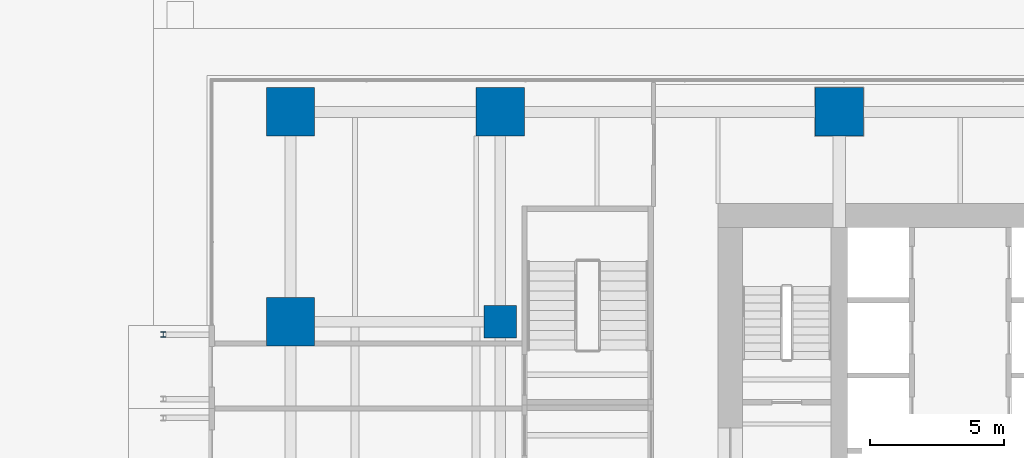
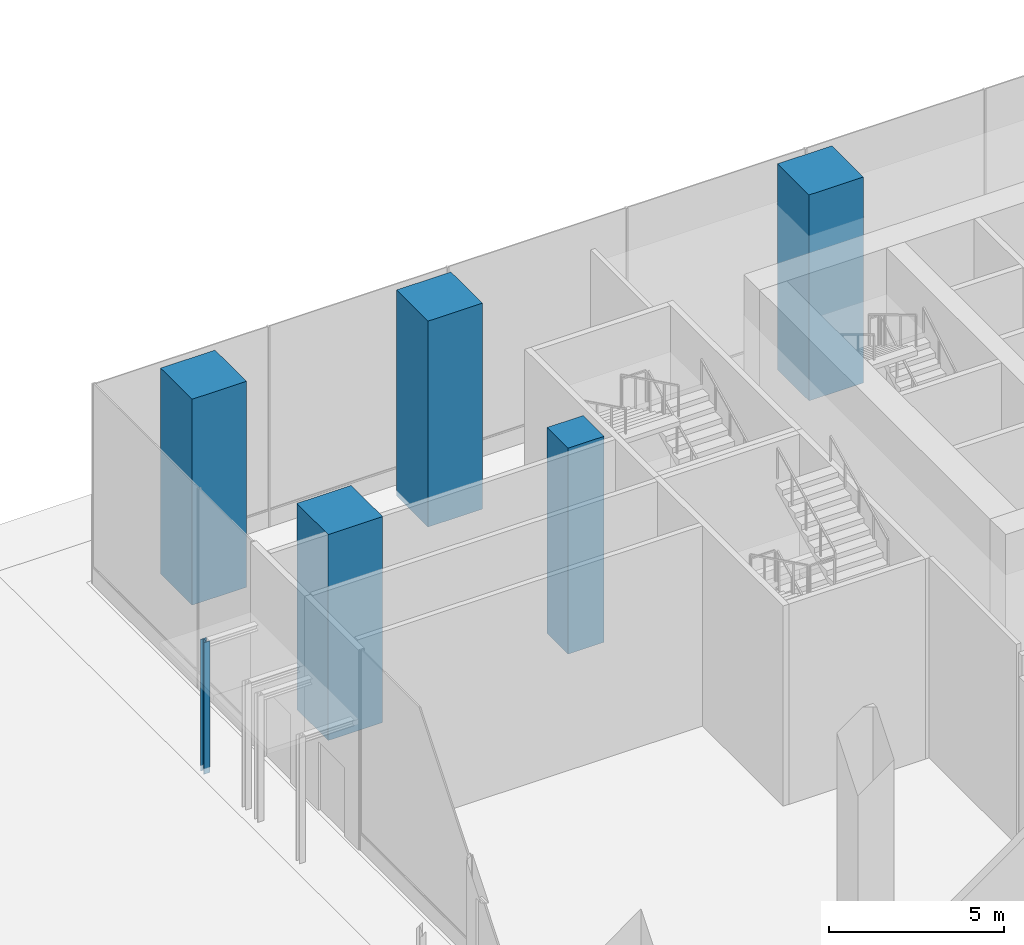
# One storey, part 8 of 41: 6 columns.
"""IFC4 building model written with IfcOpenShell, lengths in metres."""

import ifcopenshell
import ifcopenshell.guid

model = None  # the IFC model being written
_history = None  # IfcOwnerHistory: only IFC2X3 demands one
_inside = {}  # id of a spatial element -> (the spatial element, [elements in it])
_under = {}  # id of a project, library or spatial element -> (it, [spatial elements below it])
_declared = {}  # id of a project -> (the project, [libraries it declares])
_typed = {}  # id of a type object -> (the type object, [elements of that type])
_made_of = {}  # id of a material, layer set ... -> (it, [elements and type objects made of it])


def new_model(schema):
    """Start an empty IFC model of exactly this schema.

    Asked for "IFC4X3", IfcOpenShell would pick the latest addendum, in which some entities
    have other attributes; the version numbers below select the first issue.
    IFC2X3 requires an IfcOwnerHistory on every rooted entity: one is made here for all.
    """
    global model, _history
    if schema == "IFC4X3":
        model = ifcopenshell.file(schema_version=(4, 3, 0, 0))
    else:
        model = ifcopenshell.file(schema=schema)
    _inside.clear()
    _under.clear()
    _declared.clear()
    _typed.clear()
    _made_of.clear()
    _history = None
    if model.schema == "IFC2X3":
        org = make("IfcOrganization", Name="unknown")
        user = make(
            "IfcPersonAndOrganization",
            ThePerson=make("IfcPerson", FamilyName="unknown"),
            TheOrganization=org,
        )
        app = make(
            "IfcApplication",
            ApplicationDeveloper=org,
            Version="unknown",
            ApplicationFullName="unknown",
            ApplicationIdentifier="unknown",
        )
        _history = make(
            "IfcOwnerHistory",
            OwningUser=user,
            OwningApplication=app,
            ChangeAction="ADDED",
            CreationDate=0,
        )
    return model


def make(cls, **values):
    """One entity of the class cls with the attributes given. An attribute that is None is left unset."""
    return model.create_entity(
        cls, **{name: value for name, value in values.items() if value is not None}
    )


def rooted(cls, **values):
    """An entity with a GlobalId (a new one), such as an element, a storey or a relation."""
    return make(cls, GlobalId=ifcopenshell.guid.new(), OwnerHistory=_history, **values)


def si_unit(unit_type, name, prefix=None):
    """IfcSIUnit, for example si_unit("LENGTHUNIT", "METRE", prefix="MILLI")."""
    return make("IfcSIUnit", UnitType=unit_type, Prefix=prefix, Name=name)


def assignment(units):
    """IfcUnitAssignment: the units of a project."""
    return None if units is None else make("IfcUnitAssignment", Units=units)


def point(xyz):
    """IfcCartesianPoint."""
    return None if xyz is None else make("IfcCartesianPoint", Coordinates=xyz)


def direction(xyz):
    """IfcDirection."""
    return None if xyz is None else make("IfcDirection", DirectionRatios=xyz)


def frame(location, z_axis=None, x_axis=None):
    """IfcAxis2Placement3D, a coordinate frame: its origin and axes. An axis left out is left unset."""
    return make(
        "IfcAxis2Placement3D",
        Location=point(location),
        Axis=direction(z_axis),
        RefDirection=direction(x_axis),
    )


def frame_2d(location, x_axis=None):
    """IfcAxis2Placement2D, a coordinate frame in the plane: its origin and x axis."""
    return make(
        "IfcAxis2Placement2D", Location=point(location), RefDirection=direction(x_axis)
    )


def origin():
    """The frame at (0, 0, 0) with its axes left unset."""
    return frame((0.0, 0.0, 0.0))


def origin_2d():
    """The frame at (0, 0) in the plane with its x axis left unset."""
    return frame_2d((0.0, 0.0))


def place(relative_to, where):
    """IfcLocalPlacement: puts the frame where relative to a parent placement (None: the world)."""
    return make(
        "IfcLocalPlacement", PlacementRelTo=relative_to, RelativePlacement=where
    )


def context(
    kind, dimensions, precision=None, world=None, true_north=None, identifier=None
):
    """IfcGeometricRepresentationContext, for example the 3D "Model" context."""
    return make(
        "IfcGeometricRepresentationContext",
        ContextIdentifier=identifier,
        ContextType=kind,
        CoordinateSpaceDimension=dimensions,
        Precision=precision,
        WorldCoordinateSystem=world,
        TrueNorth=true_north,
    )


def subcontext(parent, identifier, kind, view, scale=None):
    """IfcGeometricRepresentationSubContext, for example "Body" below "Model"."""
    return make(
        "IfcGeometricRepresentationSubContext",
        ContextIdentifier=identifier,
        ContextType=kind,
        ParentContext=parent,
        TargetScale=scale,
        TargetView=view,
    )


def project(units=None, contexts=None):
    """IfcProject with its units and contexts."""
    return rooted(
        "IfcProject",
        Name="project",
        RepresentationContexts=contexts,
        UnitsInContext=assignment(units),
    )


def spatial(cls, under=None, at=None, **own):
    """A site, building, storey or space (cls), placed at a placement, below another one or the project."""
    s = rooted(cls, ObjectPlacement=at, **own)
    if under is not None:
        _under.setdefault(under.id(), (under, []))[1].append(s)
    return s


def profile(cls, at=None, kind="AREA", **sizes):
    """A parametric profile (cls). Its sizes go by their IFC names, for example OverallWidth=200.0."""
    return make(cls, ProfileType=kind, Position=at, **sizes)


def rectangle(**sizes):
    """IfcRectangleProfileDef."""
    return profile("IfcRectangleProfileDef", **sizes)


def i_section(**sizes):
    """IfcIShapeProfileDef."""
    return profile("IfcIShapeProfileDef", **sizes)


def extrude(swept, where, along, depth):
    """IfcExtrudedAreaSolid: the profile swept, set in the frame where, extruded along a direction by depth."""
    return make(
        "IfcExtrudedAreaSolid",
        SweptArea=swept,
        Position=where,
        ExtrudedDirection=direction(along),
        Depth=depth,
    )


def shape(context_of_items, identifier, shape_type, items):
    """IfcShapeRepresentation: the items that make up one representation, for example the "Body"."""
    return make(
        "IfcShapeRepresentation",
        ContextOfItems=context_of_items,
        RepresentationIdentifier=identifier,
        RepresentationType=shape_type,
        Items=items,
    )


def material(Name=None, Category=None):
    """IfcMaterial."""
    return make("IfcMaterial", Name=Name, Category=Category)


def material_profile(
    of_material, cross_section, Name=None, Category=None, Priority=None
):
    """IfcMaterialProfile: a cross section and its material."""
    return make(
        "IfcMaterialProfile",
        Name=Name,
        Material=of_material,
        Profile=cross_section,
        Priority=Priority,
        Category=Category,
    )


def profile_set(profiles, Name=None, composite=None):
    """IfcMaterialProfileSet."""
    return make(
        "IfcMaterialProfileSet",
        Name=Name,
        MaterialProfiles=profiles,
        CompositeProfile=composite,
    )


def made_of(thing, what):
    """Note that an element or type object is made of a material, layer set ...; save() writes the relation."""
    if what is not None:
        _made_of.setdefault(what.id(), (what, []))[1].append(thing)
    return thing


def type_object(cls, material=None, **own):
    """A type object (cls), such as IfcWallType, which elements share."""
    return made_of(rooted(cls, **own), material)


def element(
    cls,
    number,
    at=None,
    inside=None,
    cuts=None,
    type_object=None,
    material=None,
    context=None,
    identifier="Body",
    shape_type=None,
    held_by="IfcProductDefinitionShape",
    body=None,
    shapes=None,
    **own,
):
    """One element of the class cls, such as IfcWall. Its Tag is "e" and its number.

    at: its placement. inside: the storey or other place that contains it. cuts: it is an
    opening in that element (IfcRelVoidsElement). A single representation is given by context,
    identifier, shape_type and body (its items); several are given by shapes. held_by: the class
    of the entity that holds the representations. save() writes the other relations.
    """
    e = rooted(cls, Tag="e%d" % number, ObjectPlacement=at, **own)
    if body is not None:
        shapes = [shape(context, identifier, shape_type, body)]
    if shapes is not None:
        e.Representation = make(held_by, Representations=shapes)
    if inside is not None:
        _inside.setdefault(inside.id(), (inside, []))[1].append(e)
    if cuts is not None:
        rooted(
            "IfcRelVoidsElement", RelatingBuildingElement=cuts, RelatedOpeningElement=e
        )
    if type_object is not None:
        _typed.setdefault(type_object.id(), (type_object, []))[1].append(e)
    return made_of(e, material)


def aggregate(whole, parts):
    """IfcRelAggregates: a whole, such as a stair, and the parts it consists of."""
    return rooted("IfcRelAggregates", RelatingObject=whole, RelatedObjects=parts)


def save(model, path):
    """Write the relations noted so far, then the file.

    IfcRelAggregates (storeys below a building ...), IfcRelContainedInSpatialStructure (elements
    in a storey), IfcRelDefinesByType, IfcRelAssociatesMaterial and IfcRelDeclares: one each for
    every whole, place, type object, material and project.
    """
    for whole, parts in _under.values():
        aggregate(whole, parts)
    for where, things in _inside.values():
        rooted(
            "IfcRelContainedInSpatialStructure",
            RelatedElements=things,
            RelatingStructure=where,
        )
    for kind, things in _typed.values():
        rooted("IfcRelDefinesByType", RelatedObjects=things, RelatingType=kind)
    for what, things in _made_of.values():
        rooted("IfcRelAssociatesMaterial", RelatedObjects=things, RelatingMaterial=what)
    for by, libraries in _declared.values():
        rooted("IfcRelDeclares", RelatingContext=by, RelatedDefinitions=libraries)
    model.write(path)


model = new_model("IFC4")

# Units and contexts
model_context = context("Model", 3, precision=1e-05, world=origin(), true_north=direction((0.0, 1.0)))
body_context = subcontext(model_context, "Body", "Model", "MODEL_VIEW")
ifc_project = project(units=[si_unit("LENGTHUNIT", "METRE"), si_unit("AREAUNIT", "SQUARE_METRE"), si_unit("VOLUMEUNIT", "CUBIC_METRE"), si_unit("PLANEANGLEUNIT", "RADIAN"), si_unit("MASSUNIT", "GRAM", prefix="KILO")], contexts=[model_context])

# Site, building, storey
site_placement = place(None, origin())
site = spatial("IfcSite", under=ifc_project, at=site_placement, CompositionType="ELEMENT")
building_placement = place(site_placement, origin())
building = spatial("IfcBuilding", under=site, at=building_placement, Name="Rattan Terrace Tower", CompositionType="ELEMENT")
storey_placement = place(building_placement, origin())
storey = spatial("IfcBuildingStorey", under=building, at=storey_placement, Name="L00", CompositionType="ELEMENT", Elevation=0.0)

# Columns
ifc_material_1 = material(Name="Structural steel S355", Category="steel")
ifc_material_profile_1 = material_profile(ifc_material_1, i_section(OverallWidth=0.199951171875, OverallDepth=0.199951171875, WebThickness=0.009033203125, FlangeThickness=0.014892578125, FilletRadius=0.01806640625, at=origin_2d()), Name="HE 200 B")
ifc_profile_set_1 = profile_set([ifc_material_profile_1], Name="Structural steel S355")
column_type_1 = type_object("IfcColumnType", Name="Canopy post HE 200 B", PredefinedType="COLUMN", material=ifc_profile_set_1)
column_1_placement = place(storey_placement, frame((-38.6298828125, 2.617919921875, -0.199951171875), z_axis=(0.0, 0.0, 1.0), x_axis=(1.0, 0.0, 0.0)))
element("IfcColumn", 1, at=column_1_placement, inside=storey, type_object=column_type_1, Name="Canopy post 021a", PredefinedType="COLUMN", context=body_context, shape_type="SweptSolid", body=[
    extrude(i_section(OverallWidth=0.199951171875, OverallDepth=0.199951171875, WebThickness=0.009033203125, FlangeThickness=0.014892578125, FilletRadius=0.01806640625, at=origin_2d()), origin(), (0.0, 0.0, 1.0), 4.599853515625),
])
ifc_material_2 = material(Name="Concrete C60/75", Category="concrete")
ifc_material_profile_2 = material_profile(ifc_material_2, rectangle(XDim=1.800048828125, YDim=1.800048828125, at=origin_2d()), Name="CFT 1800x1800")
ifc_profile_set_2 = profile_set([ifc_material_profile_2], Name="Concrete C60/75")
column_type_2 = type_object("IfcColumnType", Name="Frame exoskeleton column CFT 1800x1800", PredefinedType="COLUMN", material=ifc_profile_set_2)
for number, where, z_axis, x_axis, name in (
    (2, (-33.89990234375, 10.89990234375, -0.199951171875), (0.0, 0.0, 1.0), (1.0, 0.0, 0.0), "exo-L00-003"),
    (3, (-33.89990234375, 3.10009765625, -0.199951171875), (0.0, 0.0, 1.0), (0.0, 1.0, 0.0), "exo-L00-014"),
    (4, (-26.10009765625, 10.89990234375, -0.199951171875), (0.0, 0.0, 1.0), (1.0, 0.0, 0.0), "exo-L00-016"),
    (5, (-13.5, 10.89990234375, -0.199951171875), (0.0, 0.0, 1.0), (1.0, 0.0, 0.0), "exo-L00-017"),
):
    element("IfcColumn", number, at=place(storey_placement, frame(where, z_axis=z_axis, x_axis=x_axis)), inside=storey, type_object=column_type_2, Name=name, PredefinedType="COLUMN", context=body_context, shape_type="SweptSolid", body=[
        extrude(rectangle(XDim=1.800048828125, YDim=1.800048828125, at=origin_2d()), origin(), (0.0, 0.0, 1.0), 7.199951171875),
    ])
ifc_material_3 = material(Name="Concrete C60/75", Category="concrete")
ifc_material_profile_3 = material_profile(ifc_material_3, rectangle(XDim=1.199951171875, YDim=1.199951171875, at=origin_2d()), Name="RC 1200x1200")
ifc_profile_set_3 = profile_set([ifc_material_profile_3], Name="Concrete C60/75")
column_type_3 = type_object("IfcColumnType", Name="Frame interior column RC 1200x1200", PredefinedType="COLUMN", material=ifc_profile_set_3)
column_2_placement = place(storey_placement, frame((-26.10009765625, 3.10009765625, -0.199951171875), z_axis=(0.0, 0.0, 1.0), x_axis=(1.0, 0.0, 0.0)))
element("IfcColumn", 6, at=column_2_placement, inside=storey, type_object=column_type_3, Name="col-L00-011", PredefinedType="COLUMN", context=body_context, shape_type="SweptSolid", body=[
    extrude(rectangle(XDim=1.199951171875, YDim=1.199951171875, at=origin_2d()), origin(), (0.0, 0.0, 1.0), 7.199951171875),
])

save(model, "model.ifc")
